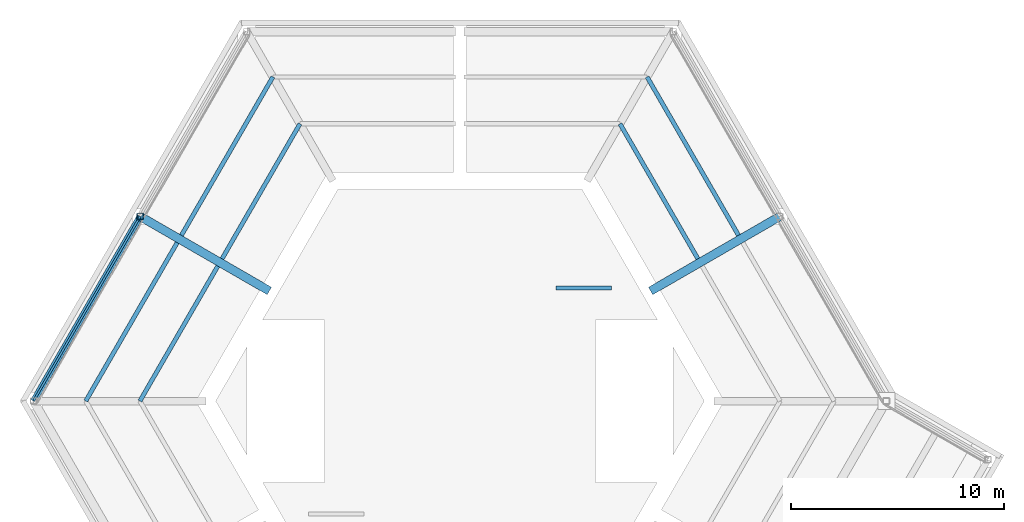
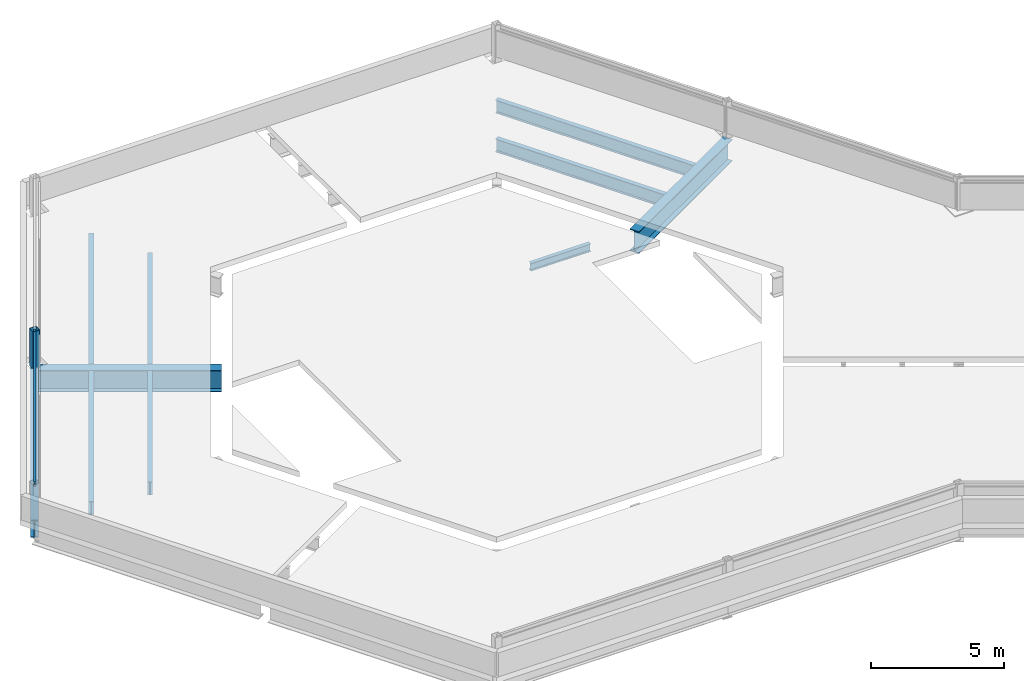
# One storey, part 2 of 6: 11 beams, 1 member.
"""IFC4 building model written with IfcOpenShell, lengths in metres."""

from ifc_helpers import new_model, si_unit, direction, frame, origin, origin_2d, place, context, subcontext, project, spatial, hollow_rectangle, i_section, extrude, material, material_profile, profile_set, type_object, element, save


model = new_model("IFC4")

# Units and contexts
model_context = context("Model", 3, precision=1e-05, world=origin(), true_north=direction((0.0, 1.0)))
body_context = subcontext(model_context, "Body", "Model", "MODEL_VIEW")
ifc_project = project(units=[si_unit("LENGTHUNIT", "METRE"), si_unit("AREAUNIT", "SQUARE_METRE"), si_unit("VOLUMEUNIT", "CUBIC_METRE"), si_unit("PLANEANGLEUNIT", "RADIAN"), si_unit("MASSUNIT", "GRAM", prefix="KILO")], contexts=[model_context])

# Site, building, storey
site_placement = place(None, origin())
site = spatial("IfcSite", under=ifc_project, at=site_placement, CompositionType="ELEMENT")
building_placement = place(site_placement, origin())
building = spatial("IfcBuilding", under=site, at=building_placement, Name="Kasaneha Research Tower", CompositionType="ELEMENT")
storey_placement = place(building_placement, frame((0.0, 0.0, 307.5)))
storey = spatial("IfcBuildingStorey", under=building, at=storey_placement, Name="RF", CompositionType="ELEMENT", Elevation=307.5)

# Beams
ifc_material_1 = material(Name="Steel SN490B", Category="steel")
ifc_material_profile_1 = material_profile(ifc_material_1, i_section(OverallWidth=0.199951171875, OverallDepth=0.60009765625, WebThickness=0.010986328125, FlangeThickness=0.01708984375, FilletRadius=0.012939453125, at=origin_2d()), Name="H-600x200x11x17")
ifc_profile_set_1 = profile_set([ifc_material_profile_1], Name="Steel SN490B")
beam_type_1 = type_object("IfcBeamType", Name="B1-6 secondary beam H-600x200x11x17", PredefinedType="JOIST", material=ifc_profile_set_1)
beam_1_placement = place(storey_placement, frame((7.505615234375, 13.0, -0.550048828125), z_axis=(0.499999192304, -0.866025870108, 0.0), x_axis=(0.866025870108, 0.499999192304, 0.0)))
element("IfcBeam", 1, at=beam_1_placement, inside=storey, type_object=beam_type_1, Name="Secondary beam RS030R1 RF", PredefinedType="JOIST", context=body_context, shape_type="SweptSolid", body=[
    extrude(i_section(OverallWidth=0.199951171875, OverallDepth=0.60009765625, WebThickness=0.010986328125, FlangeThickness=0.01708984375, FilletRadius=0.012939453125, at=origin_2d()), origin(), (0.0, 0.0, 1.0), 7.3056640625),
])
beam_2_placement = place(storey_placement, frame((8.775634765625, 15.199951171875, -0.550048828125), z_axis=(0.500000102728, -0.866025344474, 0.0), x_axis=(0.866025344474, 0.500000102728, 0.0)))
element("IfcBeam", 2, at=beam_2_placement, inside=storey, type_object=beam_type_1, Name="Secondary beam RS030R2 RF", PredefinedType="JOIST", context=body_context, shape_type="SweptSolid", body=[
    extrude(i_section(OverallWidth=0.199951171875, OverallDepth=0.60009765625, WebThickness=0.010986328125, FlangeThickness=0.01708984375, FilletRadius=0.012939453125, at=origin_2d()), origin(), (0.0, 0.0, 1.0), 8.57568359375),
])
beam_3_placement = place(storey_placement, frame((-7.505615234375, 13.0, -0.550048828125), z_axis=(-0.499999192304, -0.866025870108, 0.0), x_axis=(0.866025870108, -0.499999192304, 0.0)))
element("IfcBeam", 3, at=beam_3_placement, inside=storey, type_object=beam_type_1, Name="Secondary beam RS150L1 RF", PredefinedType="JOIST", context=body_context, shape_type="SweptSolid", body=[
    extrude(i_section(OverallWidth=0.199951171875, OverallDepth=0.60009765625, WebThickness=0.010986328125, FlangeThickness=0.01708984375, FilletRadius=0.012939453125, at=origin_2d()), origin(), (0.0, 0.0, 1.0), 7.3056640625),
])
beam_4_placement = place(storey_placement, frame((-8.775634765625, 15.199951171875, -0.550048828125), z_axis=(-0.500000102728, -0.866025344474, 0.0), x_axis=(0.866025344474, -0.500000102728, 0.0)))
element("IfcBeam", 4, at=beam_4_placement, inside=storey, type_object=beam_type_1, Name="Secondary beam RS150L2 RF", PredefinedType="JOIST", context=body_context, shape_type="SweptSolid", body=[
    extrude(i_section(OverallWidth=0.199951171875, OverallDepth=0.60009765625, WebThickness=0.010986328125, FlangeThickness=0.01708984375, FilletRadius=0.012939453125, at=origin_2d()), origin(), (0.0, 0.0, 1.0), 8.57568359375),
])
beam_5_placement = place(storey_placement, frame((-15.010986328125, 0.0, -0.550048828125), z_axis=(0.499974128195, 0.866040340363, 0.0), x_axis=(-0.866040340363, 0.499974128195, 0.0)))
element("IfcBeam", 5, at=beam_5_placement, inside=storey, type_object=beam_type_1, Name="Secondary beam RS150R1 RF", PredefinedType="JOIST", context=body_context, shape_type="SweptSolid", body=[
    extrude(i_section(OverallWidth=0.199951171875, OverallDepth=0.60009765625, WebThickness=0.010986328125, FlangeThickness=0.01708984375, FilletRadius=0.012939453125, at=origin_2d()), origin(), (0.0, 0.0, 1.0), 7.3056640625),
])
beam_6_placement = place(storey_placement, frame((-17.551513671875, 0.0, -0.550048828125), z_axis=(0.500000102728, 0.866025344474, 0.0), x_axis=(-0.866025344474, 0.500000102728, 0.0)))
element("IfcBeam", 6, at=beam_6_placement, inside=storey, type_object=beam_type_1, Name="Secondary beam RS150R2 RF", PredefinedType="JOIST", context=body_context, shape_type="SweptSolid", body=[
    extrude(i_section(OverallWidth=0.199951171875, OverallDepth=0.60009765625, WebThickness=0.010986328125, FlangeThickness=0.01708984375, FilletRadius=0.012939453125, at=origin_2d()), origin(), (0.0, 0.0, 1.0), 8.57568359375),
])

# Member
ifc_material_2 = material(Name="Steel BCR295", Category="steel")
ifc_material_profile_2 = material_profile(ifc_material_2, hollow_rectangle(XDim=0.300048828125, YDim=0.300048828125, WallThickness=0.011962890625, InnerFilletRadius=0.01806640625, OuterFilletRadius=0.030029296875, at=origin_2d()), Name="BCR-300x300x12")
ifc_profile_set_2 = profile_set([ifc_material_profile_2], Name="Steel BCR295")
member_type = type_object("IfcMemberType", Name="Crown screen post BCR-300x300x12", PredefinedType="POST", material=ifc_profile_set_2)
member_placement = place(storey_placement, frame((-15.0, 8.66015625, -0.199951171875), z_axis=(0.0, 0.0, 1.0), x_axis=(1.0, 0.0, 0.0)))
element("IfcMember", 7, at=member_placement, inside=storey, type_object=member_type, Name="Crown screen post M150", PredefinedType="POST", context=body_context, shape_type="SweptSolid", body=[
    extrude(hollow_rectangle(XDim=0.300048828125, YDim=0.300048828125, WallThickness=0.011962890625, InnerFilletRadius=0.01806640625, OuterFilletRadius=0.030029296875, at=origin_2d()), origin(), (0.0, 0.0, 1.0), 1.699951171875),
])

# Beams
ifc_material_3 = material(Name="Steel SN400B", Category="steel")
ifc_material_profile_3 = material_profile(ifc_material_3, i_section(OverallWidth=0.10009765625, OverallDepth=0.199951171875, WebThickness=0.005615234375, FlangeThickness=0.008056640625, FilletRadius=0.008056640625, at=origin_2d()), Name="H-200x100x5.5x8")
ifc_profile_set_3 = profile_set([ifc_material_profile_3], Name="Steel SN400B")
beam_type_2 = type_object("IfcBeamType", Name="Crown screen rail H-200x100x5.5x8", PredefinedType="BEAM", material=ifc_profile_set_3)
beam_7_placement = place(storey_placement, frame((-20.0, 0.0, 1.39990234375), z_axis=(0.500004234368, 0.866022959057, 0.0), x_axis=(-0.866022959057, 0.500004234368, 0.0)))
element("IfcBeam", 8, at=beam_7_placement, inside=storey, type_object=beam_type_2, Name="Crown screen rail V3-M150", PredefinedType="BEAM", context=body_context, shape_type="SweptSolid", body=[
    extrude(i_section(OverallWidth=0.10009765625, OverallDepth=0.199951171875, WebThickness=0.005615234375, FlangeThickness=0.008056640625, FilletRadius=0.008056640625, at=origin_2d()), origin(), (0.0, 0.0, 1.0), 10.0),
])
ifc_material_4 = material(Name="Steel SN490B", Category="steel")
ifc_material_profile_4 = material_profile(ifc_material_4, i_section(OverallWidth=0.39990234375, OverallDepth=1.0, WebThickness=0.01904296875, FlangeThickness=0.035888671875, at=origin_2d()), Name="BH-1000x400x19x36")
ifc_profile_set_4 = profile_set([ifc_material_profile_4], Name="Steel SN490B")
beam_type_3 = type_object("IfcBeamType", Name="G2-6 radial girder BH-1000x400x19x36", PredefinedType="BEAM", material=ifc_profile_set_4)
for number, where, z_axis, x_axis, name in (
    (9, (8.941650390625, 5.16259765625, -0.75), (0.866039713508, 0.499975214012, 0.0), (-0.499975214012, 0.866039713508, 0.0), "Radial girder RM030 RF"),
    (10, (-8.941650390625, 5.16259765625, -0.75), (-0.866039713508, 0.499975214012, 0.0), (-0.499975214012, -0.866039713508, 0.0), "Radial girder RM150 RF"),
):
    element("IfcBeam", number, at=place(storey_placement, frame(where, z_axis=z_axis, x_axis=x_axis)), inside=storey, type_object=beam_type_3, Name=name, PredefinedType="BEAM", context=body_context, shape_type="SweptSolid", body=[
        extrude(i_section(OverallWidth=0.39990234375, OverallDepth=1.0, WebThickness=0.01904296875, FlangeThickness=0.035888671875, at=origin_2d()), origin(), (0.0, 0.0, 1.0), 6.995361328125),
    ])
ifc_material_5 = material(Name="Steel SN490B", Category="steel")
ifc_material_profile_5 = material_profile(ifc_material_5, i_section(OverallWidth=0.175048828125, OverallDepth=0.35009765625, WebThickness=0.007080078125, FlangeThickness=0.010986328125, FilletRadius=0.012939453125, at=origin_2d()), Name="H-350x175x7x11")
ifc_profile_set_5 = profile_set([ifc_material_profile_5], Name="Steel SN490B")
beam_type_4 = type_object("IfcBeamType", Name="HB2 lift hoist beam H-350x175x7x11", PredefinedType="BEAM", material=ifc_profile_set_5)
beam_8_placement = place(storey_placement, frame((4.5, 5.300048828125, -0.425048828125), z_axis=(1.0, 0.0, 0.0), x_axis=(0.0, 1.0, 0.0)))
element("IfcBeam", 11, at=beam_8_placement, inside=storey, type_object=beam_type_4, Name="Lift hoist beam FL1", PredefinedType="BEAM", context=body_context, shape_type="SweptSolid", body=[
    extrude(i_section(OverallWidth=0.175048828125, OverallDepth=0.35009765625, WebThickness=0.007080078125, FlangeThickness=0.010986328125, FilletRadius=0.012939453125, at=origin_2d()), origin(), (0.0, 0.0, 1.0), 2.60009765625),
])
ifc_material_6 = material(Name="Steel SN490B", Category="steel")
ifc_material_profile_6 = material_profile(ifc_material_6, i_section(OverallWidth=0.300048828125, OverallDepth=0.800048828125, WebThickness=0.013916015625, FlangeThickness=0.02587890625, FilletRadius=0.01806640625, at=origin_2d()), Name="H-800x300x14x26")
ifc_profile_set_6 = profile_set([ifc_material_profile_6], Name="Steel SN490B")
beam_type_5 = type_object("IfcBeamType", Name="SB1-6 spandrel beam H-800x300x14x26", PredefinedType="SPANDREL", material=ifc_profile_set_6)
beam_9_placement = place(storey_placement, frame((-20.0, 0.0, -0.64990234375), z_axis=(0.500004234368, 0.866022959057, 0.0), x_axis=(-0.866022959057, 0.500004234368, 0.0)))
element("IfcBeam", 12, at=beam_9_placement, inside=storey, type_object=beam_type_5, Name="Spandrel beam SR150R RF", PredefinedType="SPANDREL", context=body_context, shape_type="SweptSolid", body=[
    extrude(i_section(OverallWidth=0.300048828125, OverallDepth=0.800048828125, WebThickness=0.013916015625, FlangeThickness=0.02587890625, FilletRadius=0.01806640625, at=origin_2d()), origin(), (0.0, 0.0, 1.0), 10.0),
])

save(model, "model.ifc")
